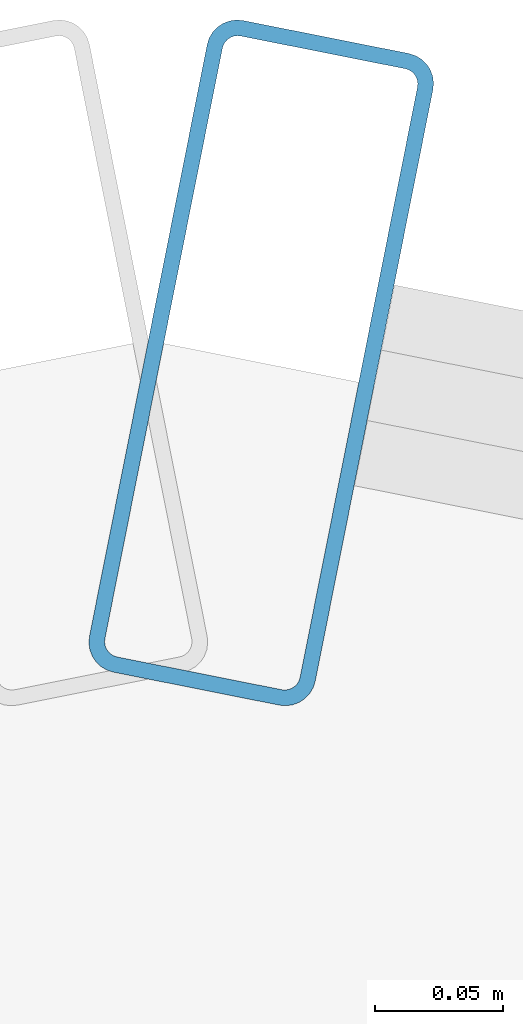
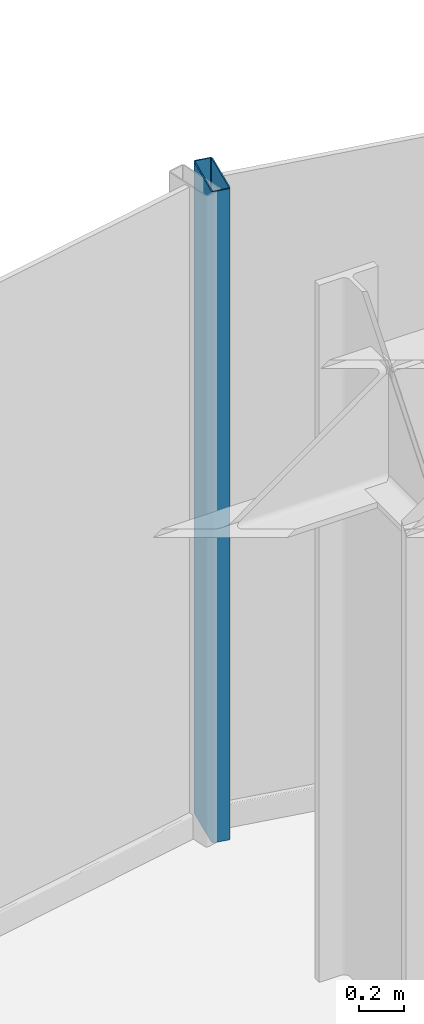
# One storey, part 15 of 23: 1 member, 1 element without a shape of its own.
"""IFC4 building model written with IfcOpenShell, lengths in metres."""

from ifc_helpers import new_model, si_unit, direction, frame, origin, origin_2d, place, context, subcontext, project, spatial, hollow_rectangle, extrude, source, transform, mapped, material, layer, layer_set, material_profile, profile_set, type_object, element, aggregate, save


model = new_model("IFC4")

# Units and contexts
model_context = context("Model", 3, precision=1e-05, world=origin(), true_north=direction((0.0, 1.0)))
body_context = subcontext(model_context, "Body", "Model", "MODEL_VIEW")
ifc_project = project(units=[si_unit("LENGTHUNIT", "METRE"), si_unit("AREAUNIT", "SQUARE_METRE"), si_unit("VOLUMEUNIT", "CUBIC_METRE"), si_unit("PLANEANGLEUNIT", "RADIAN"), si_unit("MASSUNIT", "GRAM", prefix="KILO")], contexts=[model_context])

# Site, building, storey
site_placement = place(None, origin())
site = spatial("IfcSite", under=ifc_project, at=site_placement, CompositionType="ELEMENT")
building_placement = place(site_placement, origin())
building = spatial("IfcBuilding", under=site, at=building_placement, Name="Nefas-Gora Pilgrimage Tower", CompositionType="ELEMENT")
storey_placement = place(building_placement, frame((0.0, 0.0, 152.60009765625)))
storey = spatial("IfcBuildingStorey", under=building, at=storey_placement, Name="L37", CompositionType="ELEMENT", Elevation=152.60009765625)

# Curtain wall, member
ifc_material_1 = material(Name="Dark ceramic-fritted solar-control aluminium-glass curtain wall", Category="aluminium")
ifc_layer = layer(ifc_material_1, 0.219970703125)
ifc_layer_set = layer_set([ifc_layer], Name="Dark ceramic-fritted solar-control aluminium-glass curtain wall")
curtain_wall_type = type_object("IfcCurtainWallType", Name="CW-SYS-5", PredefinedType="NOTDEFINED", material=ifc_layer_set)
curtain_wall_placement = place(storey_placement, origin())
curtain_wall = element("IfcCurtainWall", 1, at=curtain_wall_placement, inside=storey, type_object=curtain_wall_type, Name="L37 Unitised Curtain Wall CW5", PredefinedType="NOTDEFINED")
ifc_material_2 = material(Name="Anodised architectural aluminium", Category="aluminium")
ifc_material_profile = material_profile(ifc_material_2, hollow_rectangle(XDim=0.090087890625, YDim=0.260009765625, WallThickness=0.006103515625, InnerFilletRadius=0.006103515625, OuterFilletRadius=0.011962890625, at=origin_2d()), Name="ALU MULLION 90x260")
ifc_profile_set = profile_set([ifc_material_profile], Name="Anodised architectural aluminium")
member_type = type_object("IfcMemberType", Name="CWM-MUL-5", PredefinedType="MULLION", material=ifc_profile_set)
shared_shape = source(origin(), body_context, "Body", "SweptSolid", [
    extrude(hollow_rectangle(XDim=0.090087890625, YDim=0.260009765625, WallThickness=0.006103515625, InnerFilletRadius=0.006103515625, OuterFilletRadius=0.011962890625, at=origin_2d()), origin(), (0.0, 0.0, 1.0), 3.5498046875),
])
member_placement = place(storey_placement, frame((-2.205810546875, 24.16357421875, 0.0), z_axis=(0.0, 0.0, 1.0), x_axis=(-0.980782896852, 0.195102304554, 0.0)))
member = element("IfcMember", 2, at=member_placement, type_object=member_type, Name="CW5 Mullion 2", PredefinedType="MULLION", context=body_context, shape_type="MappedRepresentation", body=[
    mapped(shared_shape, transform((0.0, 0.0, 0.0), x_axis=(1.0, 0.0, 0.0), y_axis=(0.0, 1.0, 0.0), z_axis=(0.0, 0.0, 1.0), scale=1.0)),
])
aggregate(curtain_wall, [member])

save(model, "model.ifc")
